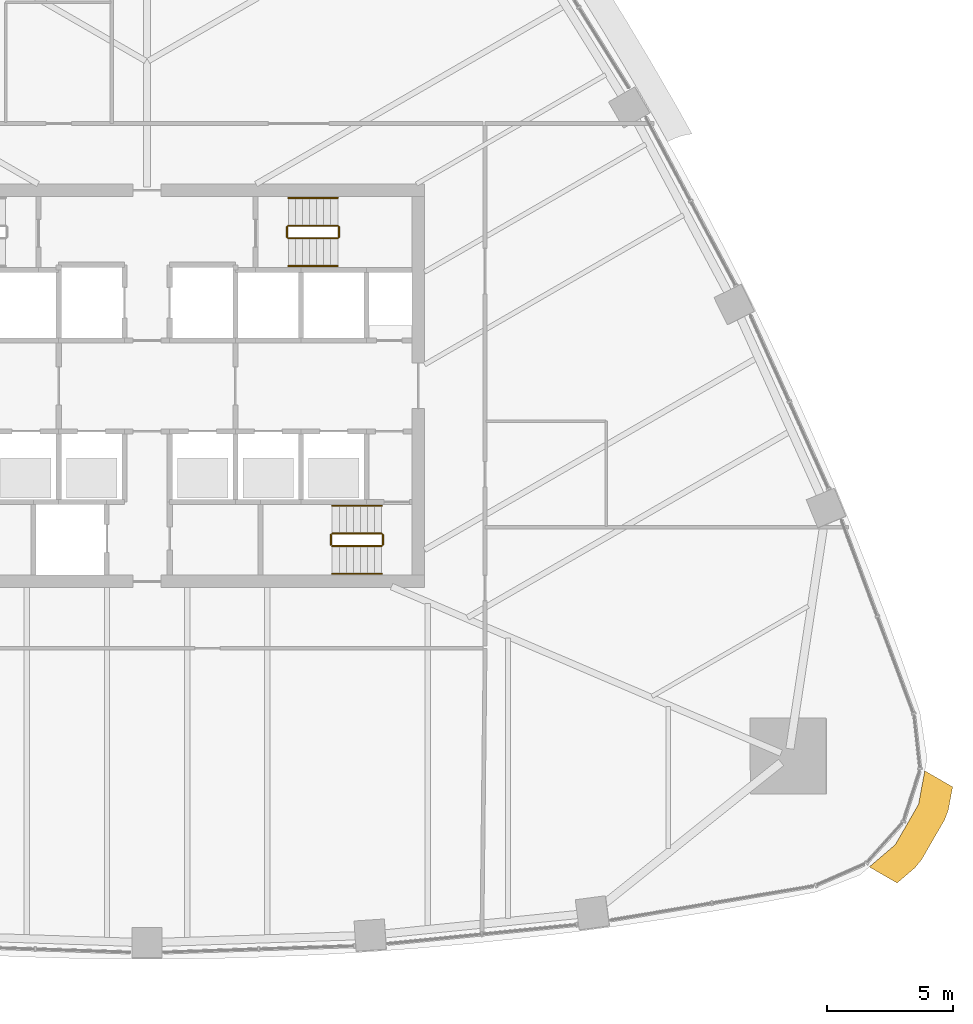
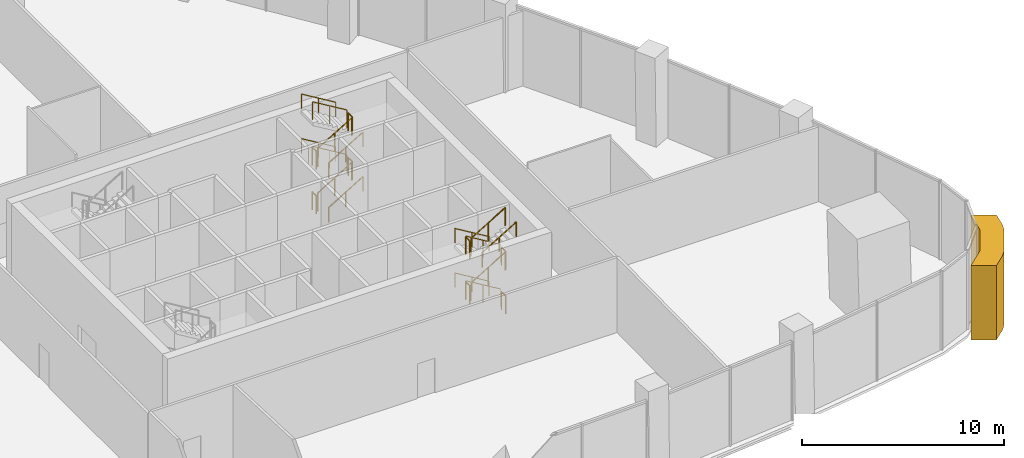
# One storey, part 14 of 16: 23 railings, 1 covering.
"""IFC4 building model written with IfcOpenShell, lengths in metres."""

from ifc_helpers import new_model, si_unit, direction, frame, origin, origin_2d, place, context, subcontext, project, spatial, polyline, circle, outline, extrude, material, layer, layer_set, type_object, element, save


model = new_model("IFC4")

# Units and contexts
model_context = context("Model", 3, precision=1e-05, world=origin(), true_north=direction((0.0, 1.0)))
body_context = subcontext(model_context, "Body", "Model", "MODEL_VIEW")
ifc_project = project(units=[si_unit("LENGTHUNIT", "METRE"), si_unit("AREAUNIT", "SQUARE_METRE"), si_unit("VOLUMEUNIT", "CUBIC_METRE"), si_unit("PLANEANGLEUNIT", "RADIAN"), si_unit("MASSUNIT", "GRAM", prefix="KILO")], contexts=[model_context])

# Site, building, storey
site_placement = place(None, origin())
site = spatial("IfcSite", under=ifc_project, at=site_placement, CompositionType="ELEMENT")
building_placement = place(site_placement, origin())
building = spatial("IfcBuilding", under=site, at=building_placement, Name="Sierra Prisma Convention Tower", CompositionType="ELEMENT")
storey_placement = place(building_placement, frame((0.0, 0.0, 107.199951171875)))
storey = spatial("IfcBuildingStorey", under=building, at=storey_placement, Name="L23", CompositionType="ELEMENT", Elevation=107.199951171875)

# Covering
ifc_material_1 = material(Name="Aluminium composite bronze anodised", Category="aluminium")
ifc_layer = layer(ifc_material_1, 1.199951171875)
ifc_layer_set = layer_set([ifc_layer], Name="Bronze corner pier")
covering_type = type_object("IfcCoveringType", Name="Bronze corner pier", PredefinedType="CLADDING", material=ifc_layer_set)
covering_placement = place(storey_placement, frame((0.0, 0.0, -0.599853515625)))
element("IfcCovering", 1, at=covering_placement, inside=storey, type_object=covering_type, Name="Corner pier SE L23.1", PredefinedType="CLADDING", context=body_context, shape_type="SweptSolid", body=[
    extrude(outline(polyline([(30.827392578125, -15.2578125), (31.92919921875, -15.89404296875), (31.758544921875, -16.80712890625), (31.6181640625, -17.186767578125), (30.693359375, -18.788818359375), (30.434814453125, -19.10009765625), (29.729248046875, -19.70458984375), (28.62744140625, -19.068359375), (29.654052734375, -18.188720703125), (30.5791015625, -16.586669921875), (30.827392578125, -15.2578125)])), origin(), (0.0, 0.0, 1.0), 4.5),
])

# Railings
ifc_material_2 = material(Name="Stainless steel", Category="steel")
railing_type_1 = type_object("IfcRailingType", Name="Exit stair handrail", PredefinedType="HANDRAIL", material=ifc_material_2)
railing_1_placement = place(storey_placement, frame((9.300048828125, -4.75, 0.168701171875)))
element("IfcRailing", 2, at=railing_1_placement, inside=storey, type_object=railing_type_1, Name="L23 S2 stair handrail 1", PredefinedType="HANDRAIL", context=body_context, shape_type="SweptSolid", body=[
    extrude(circle(Radius=0.02392578125, at=origin_2d()), frame((0.0, 0.0, 0.8759765625), z_axis=(-0.856446297458, 0.0, 0.516236127728), x_axis=(0.0, -1.0, 0.0)), (0.0, 0.0, 1.0), 2.28857421875),
    extrude(circle(Radius=0.02099609375, at=origin_2d()), origin(), (0.0, 0.0, 1.0), 0.851806640625),
    extrude(circle(Radius=0.02099609375, at=origin_2d()), frame((-0.97998046875, 0.0, 0.5908203125)), (0.0, 0.0, 1.0), 0.851806640625),
    extrude(circle(Radius=0.02099609375, at=origin_2d()), frame((-1.9599609375, 0.0, 1.181396484375)), (0.0, 0.0, 1.0), 0.851806640625),
])
railing_2_placement = place(storey_placement, frame((9.300048828125, -4.75, 2.868896484375)))
element("IfcRailing", 3, at=railing_2_placement, inside=storey, type_object=railing_type_1, Name="L23 S2 stair handrail 3", PredefinedType="HANDRAIL", context=body_context, shape_type="SweptSolid", body=[
    extrude(circle(Radius=0.02392578125, at=origin_2d()), frame((0.0, 0.0, 0.8759765625), z_axis=(-0.856493463811, 0.0, 0.516157869696), x_axis=(0.0, -1.0, 0.0)), (0.0, 0.0, 1.0), 2.288330078125),
    extrude(circle(Radius=0.02099609375, at=origin_2d()), origin(), (0.0, 0.0, 1.0), 0.851806640625),
    extrude(circle(Radius=0.02099609375, at=origin_2d()), frame((-0.97998046875, 0.0, 0.590576171875)), (0.0, 0.0, 1.0), 0.851806640625),
    extrude(circle(Radius=0.02099609375, at=origin_2d()), frame((-1.9599609375, 0.0, 1.18115234375)), (0.0, 0.0, 1.0), 0.851806640625),
])
for number, where, name in (
    (4, (7.340087890625, -7.449951171875, 4.21875), "L23 S2 stair handrail 4"),
    (5, (5.60009765625, 4.75, 0.168701171875), "L23 S4 stair handrail 1"),
):
    element("IfcRailing", number, at=place(storey_placement, frame(where)), inside=storey, type_object=railing_type_1, Name=name, PredefinedType="HANDRAIL", context=body_context, shape_type="SweptSolid", body=[
        extrude(circle(Radius=0.02392578125, at=origin_2d()), frame((0.0, 0.0, 0.8759765625), z_axis=(0.856446297458, 0.0, 0.516236127728), x_axis=(0.0, 1.0, 0.0)), (0.0, 0.0, 1.0), 2.28857421875),
        extrude(circle(Radius=0.02099609375, at=origin_2d()), origin(), (0.0, 0.0, 1.0), 0.851806640625),
        extrude(circle(Radius=0.02099609375, at=origin_2d()), frame((0.97998046875, 0.0, 0.5908203125)), (0.0, 0.0, 1.0), 0.851806640625),
        extrude(circle(Radius=0.02099609375, at=origin_2d()), frame((1.9599609375, 0.0, 1.181396484375)), (0.0, 0.0, 1.0), 0.851806640625),
    ])
railing_3_placement = place(storey_placement, frame((7.56005859375, 7.449951171875, 1.518798828125)))
element("IfcRailing", 6, at=railing_3_placement, inside=storey, type_object=railing_type_1, Name="L23 S4 stair handrail 2", PredefinedType="HANDRAIL", context=body_context, shape_type="SweptSolid", body=[
    extrude(circle(Radius=0.02392578125, at=origin_2d()), frame((0.0, 0.0, 0.8759765625), z_axis=(-0.856493463811, 0.0, 0.516157869696), x_axis=(0.0, -1.0, 0.0)), (0.0, 0.0, 1.0), 2.288330078125),
    extrude(circle(Radius=0.02099609375, at=origin_2d()), origin(), (0.0, 0.0, 1.0), 0.851806640625),
    extrude(circle(Radius=0.02099609375, at=origin_2d()), frame((-0.97998046875, 0.0, 0.590576171875)), (0.0, 0.0, 1.0), 0.851806640625),
    extrude(circle(Radius=0.02099609375, at=origin_2d()), frame((-1.9599609375, 0.0, 1.18115234375)), (0.0, 0.0, 1.0), 0.851806640625),
])
railing_4_placement = place(storey_placement, frame((5.60009765625, 4.75, 2.868896484375)))
element("IfcRailing", 7, at=railing_4_placement, inside=storey, type_object=railing_type_1, Name="L23 S4 stair handrail 3", PredefinedType="HANDRAIL", context=body_context, shape_type="SweptSolid", body=[
    extrude(circle(Radius=0.02392578125, at=origin_2d()), frame((0.0, 0.0, 0.8759765625), z_axis=(0.856493463811, 0.0, 0.516157869696), x_axis=(0.0, 1.0, 0.0)), (0.0, 0.0, 1.0), 2.288330078125),
    extrude(circle(Radius=0.02099609375, at=origin_2d()), origin(), (0.0, 0.0, 1.0), 0.851806640625),
    extrude(circle(Radius=0.02099609375, at=origin_2d()), frame((0.97998046875, 0.0, 0.590576171875)), (0.0, 0.0, 1.0), 0.851806640625),
    extrude(circle(Radius=0.02099609375, at=origin_2d()), frame((1.9599609375, 0.0, 1.18115234375)), (0.0, 0.0, 1.0), 0.851806640625),
])
railing_5_placement = place(storey_placement, frame((7.56005859375, 7.449951171875, 4.21875)))
element("IfcRailing", 8, at=railing_5_placement, inside=storey, type_object=railing_type_1, Name="L23 S4 stair handrail 4", PredefinedType="HANDRAIL", context=body_context, shape_type="SweptSolid", body=[
    extrude(circle(Radius=0.02392578125, at=origin_2d()), frame((0.0, 0.0, 0.8759765625), z_axis=(-0.856446297458, 0.0, 0.516236127728), x_axis=(0.0, -1.0, 0.0)), (0.0, 0.0, 1.0), 2.28857421875),
    extrude(circle(Radius=0.02099609375, at=origin_2d()), origin(), (0.0, 0.0, 1.0), 0.851806640625),
    extrude(circle(Radius=0.02099609375, at=origin_2d()), frame((-0.97998046875, 0.0, 0.5908203125)), (0.0, 0.0, 1.0), 0.851806640625),
    extrude(circle(Radius=0.02099609375, at=origin_2d()), frame((-1.9599609375, 0.0, 1.181396484375)), (0.0, 0.0, 1.0), 0.851806640625),
])
ifc_material_3 = material(Name="Stainless steel", Category="steel")
railing_type_2 = type_object("IfcRailingType", Name="Stair guard 1100", PredefinedType="GUARDRAIL", material=ifc_material_3)
railing_6_placement = place(storey_placement, frame((9.300048828125, -5.85009765625, 0.168701171875)))
element("IfcRailing", 9, at=railing_6_placement, inside=storey, type_object=railing_type_2, Name="L23 S2 stair guard 1", PredefinedType="GUARDRAIL", context=body_context, shape_type="SweptSolid", body=[
    extrude(circle(Radius=0.02392578125, at=origin_2d()), frame((0.0, 0.0, 1.076171875), z_axis=(-0.856446297458, 0.0, 0.516236127728), x_axis=(0.0, -1.0, 0.0)), (0.0, 0.0, 1.0), 2.28857421875),
    extrude(circle(Radius=0.02099609375, at=origin_2d()), origin(), (0.0, 0.0, 1.0), 1.052001953125),
    extrude(circle(Radius=0.02099609375, at=origin_2d()), frame((-0.97998046875, 0.0, 0.5908203125)), (0.0, 0.0, 1.0), 1.052001953125),
    extrude(circle(Radius=0.02099609375, at=origin_2d()), frame((-1.9599609375, 0.0, 1.181396484375)), (0.0, 0.0, 1.0), 1.052001953125),
])
railing_7_placement = place(storey_placement, frame((7.2900390625, -5.89990234375, 1.35009765625)))
element("IfcRailing", 10, at=railing_7_placement, inside=storey, type_object=railing_type_2, Name="L23 S2 stair guard 2", PredefinedType="GUARDRAIL", context=body_context, shape_type="SweptSolid", body=[
    extrude(circle(Radius=0.02392578125, at=origin_2d()), frame((0.0, 0.0, 1.076171875), z_axis=(0.0, -1.0, 0.0), x_axis=(1.0, 0.0, 0.0)), (0.0, 0.0, 1.0), 0.400146484375),
    extrude(circle(Radius=0.02099609375, at=origin_2d()), origin(), (0.0, 0.0, 1.0), 1.052001953125),
    extrude(circle(Radius=0.02099609375, at=origin_2d()), frame((0.0, -0.400146484375, 0.0)), (0.0, 0.0, 1.0), 1.052001953125),
])
railing_8_placement = place(storey_placement, frame((7.340087890625, -6.35009765625, 1.518798828125)))
element("IfcRailing", 11, at=railing_8_placement, inside=storey, type_object=railing_type_2, Name="L23 S2 stair guard 3", PredefinedType="GUARDRAIL", context=body_context, shape_type="SweptSolid", body=[
    extrude(circle(Radius=0.02392578125, at=origin_2d()), frame((0.0, 0.0, 1.076171875), z_axis=(0.856493463811, 0.0, 0.516157869696), x_axis=(0.0, 1.0, 0.0)), (0.0, 0.0, 1.0), 2.288330078125),
    extrude(circle(Radius=0.02099609375, at=origin_2d()), origin(), (0.0, 0.0, 1.0), 1.052001953125),
    extrude(circle(Radius=0.02099609375, at=origin_2d()), frame((0.97998046875, 0.0, 0.590576171875)), (0.0, 0.0, 1.0), 1.052001953125),
    extrude(circle(Radius=0.02099609375, at=origin_2d()), frame((1.9599609375, 0.0, 1.18115234375)), (0.0, 0.0, 1.0), 1.052001953125),
])
railing_9_placement = place(storey_placement, frame((9.35009765625, -5.89990234375, 2.699951171875)))
element("IfcRailing", 12, at=railing_9_placement, inside=storey, type_object=railing_type_2, Name="L23 S2 stair guard 4", PredefinedType="GUARDRAIL", context=body_context, shape_type="SweptSolid", body=[
    extrude(circle(Radius=0.02392578125, at=origin_2d()), frame((0.0, 0.0, 1.076171875), z_axis=(0.0, -1.0, 0.0), x_axis=(1.0, 0.0, 0.0)), (0.0, 0.0, 1.0), 0.400146484375),
    extrude(circle(Radius=0.02099609375, at=origin_2d()), origin(), (0.0, 0.0, 1.0), 1.052001953125),
    extrude(circle(Radius=0.02099609375, at=origin_2d()), frame((0.0, -0.400146484375, 0.0)), (0.0, 0.0, 1.0), 1.052001953125),
])
railing_10_placement = place(storey_placement, frame((9.300048828125, -5.85009765625, 2.868896484375)))
element("IfcRailing", 13, at=railing_10_placement, inside=storey, type_object=railing_type_2, Name="L23 S2 stair guard 5", PredefinedType="GUARDRAIL", context=body_context, shape_type="SweptSolid", body=[
    extrude(circle(Radius=0.02392578125, at=origin_2d()), frame((0.0, 0.0, 1.076171875), z_axis=(-0.856493463811, 0.0, 0.516157869696), x_axis=(0.0, -1.0, 0.0)), (0.0, 0.0, 1.0), 2.288330078125),
    extrude(circle(Radius=0.02099609375, at=origin_2d()), origin(), (0.0, 0.0, 1.0), 1.052001953125),
    extrude(circle(Radius=0.02099609375, at=origin_2d()), frame((-0.97998046875, 0.0, 0.590576171875)), (0.0, 0.0, 1.0), 1.052001953125),
    extrude(circle(Radius=0.02099609375, at=origin_2d()), frame((-1.9599609375, 0.0, 1.18115234375)), (0.0, 0.0, 1.0), 1.052001953125),
])
railing_11_placement = place(storey_placement, frame((7.2900390625, -5.89990234375, 4.050048828125)))
element("IfcRailing", 14, at=railing_11_placement, inside=storey, type_object=railing_type_2, Name="L23 S2 stair guard 6", PredefinedType="GUARDRAIL", context=body_context, shape_type="SweptSolid", body=[
    extrude(circle(Radius=0.02392578125, at=origin_2d()), frame((0.0, 0.0, 1.076171875), z_axis=(0.0, -1.0, 0.0), x_axis=(1.0, 0.0, 0.0)), (0.0, 0.0, 1.0), 0.400146484375),
    extrude(circle(Radius=0.02099609375, at=origin_2d()), origin(), (0.0, 0.0, 1.0), 1.052001953125),
    extrude(circle(Radius=0.02099609375, at=origin_2d()), frame((0.0, -0.400146484375, 0.0)), (0.0, 0.0, 1.0), 1.052001953125),
])
railing_12_placement = place(storey_placement, frame((7.340087890625, -6.35009765625, 4.21875)))
element("IfcRailing", 15, at=railing_12_placement, inside=storey, type_object=railing_type_2, Name="L23 S2 stair guard 7", PredefinedType="GUARDRAIL", context=body_context, shape_type="SweptSolid", body=[
    extrude(circle(Radius=0.02392578125, at=origin_2d()), frame((0.0, 0.0, 1.076171875), z_axis=(0.856446297458, 0.0, 0.516236127728), x_axis=(0.0, 1.0, 0.0)), (0.0, 0.0, 1.0), 2.28857421875),
    extrude(circle(Radius=0.02099609375, at=origin_2d()), origin(), (0.0, 0.0, 1.0), 1.052001953125),
    extrude(circle(Radius=0.02099609375, at=origin_2d()), frame((0.97998046875, 0.0, 0.5908203125)), (0.0, 0.0, 1.0), 1.052001953125),
    extrude(circle(Radius=0.02099609375, at=origin_2d()), frame((1.9599609375, 0.0, 1.181396484375)), (0.0, 0.0, 1.0), 1.052001953125),
])
railing_13_placement = place(storey_placement, frame((9.35009765625, -5.89990234375, 0.0)))
element("IfcRailing", 16, at=railing_13_placement, inside=storey, type_object=railing_type_2, Name="L23 S2 stair guard 8", PredefinedType="GUARDRAIL", context=body_context, shape_type="SweptSolid", body=[
    extrude(circle(Radius=0.02392578125, at=origin_2d()), frame((0.0, 0.0, 1.076171875), z_axis=(0.0, -1.0, 0.0), x_axis=(1.0, 0.0, 0.0)), (0.0, 0.0, 1.0), 0.400146484375),
    extrude(circle(Radius=0.02099609375, at=origin_2d()), origin(), (0.0, 0.0, 1.0), 1.052001953125),
    extrude(circle(Radius=0.02099609375, at=origin_2d()), frame((0.0, -0.400146484375, 0.0)), (0.0, 0.0, 1.0), 1.052001953125),
])
railing_14_placement = place(storey_placement, frame((5.60009765625, 5.85009765625, 0.168701171875)))
element("IfcRailing", 17, at=railing_14_placement, inside=storey, type_object=railing_type_2, Name="L23 S4 stair guard 1", PredefinedType="GUARDRAIL", context=body_context, shape_type="SweptSolid", body=[
    extrude(circle(Radius=0.02392578125, at=origin_2d()), frame((0.0, 0.0, 1.076171875), z_axis=(0.856446297458, 0.0, 0.516236127728), x_axis=(0.0, 1.0, 0.0)), (0.0, 0.0, 1.0), 2.28857421875),
    extrude(circle(Radius=0.02099609375, at=origin_2d()), origin(), (0.0, 0.0, 1.0), 1.052001953125),
    extrude(circle(Radius=0.02099609375, at=origin_2d()), frame((0.97998046875, 0.0, 0.5908203125)), (0.0, 0.0, 1.0), 1.052001953125),
    extrude(circle(Radius=0.02099609375, at=origin_2d()), frame((1.9599609375, 0.0, 1.181396484375)), (0.0, 0.0, 1.0), 1.052001953125),
])
railing_15_placement = place(storey_placement, frame((7.610107421875, 5.89990234375, 1.35009765625)))
element("IfcRailing", 18, at=railing_15_placement, inside=storey, type_object=railing_type_2, Name="L23 S4 stair guard 2", PredefinedType="GUARDRAIL", context=body_context, shape_type="SweptSolid", body=[
    extrude(circle(Radius=0.02392578125, at=origin_2d()), frame((0.0, 0.0, 1.076171875), z_axis=(0.0, 1.0, 0.0), x_axis=(-1.0, 0.0, 0.0)), (0.0, 0.0, 1.0), 0.400146484375),
    extrude(circle(Radius=0.02099609375, at=origin_2d()), origin(), (0.0, 0.0, 1.0), 1.052001953125),
    extrude(circle(Radius=0.02099609375, at=origin_2d()), frame((0.0, 0.400146484375, 0.0)), (0.0, 0.0, 1.0), 1.052001953125),
])
railing_16_placement = place(storey_placement, frame((7.56005859375, 6.35009765625, 1.518798828125)))
element("IfcRailing", 19, at=railing_16_placement, inside=storey, type_object=railing_type_2, Name="L23 S4 stair guard 3", PredefinedType="GUARDRAIL", context=body_context, shape_type="SweptSolid", body=[
    extrude(circle(Radius=0.02392578125, at=origin_2d()), frame((0.0, 0.0, 1.076171875), z_axis=(-0.856493463811, 0.0, 0.516157869696), x_axis=(0.0, -1.0, 0.0)), (0.0, 0.0, 1.0), 2.288330078125),
    extrude(circle(Radius=0.02099609375, at=origin_2d()), origin(), (0.0, 0.0, 1.0), 1.052001953125),
    extrude(circle(Radius=0.02099609375, at=origin_2d()), frame((-0.97998046875, 0.0, 0.590576171875)), (0.0, 0.0, 1.0), 1.052001953125),
    extrude(circle(Radius=0.02099609375, at=origin_2d()), frame((-1.9599609375, 0.0, 1.18115234375)), (0.0, 0.0, 1.0), 1.052001953125),
])
railing_17_placement = place(storey_placement, frame((5.550048828125, 5.89990234375, 2.699951171875)))
element("IfcRailing", 20, at=railing_17_placement, inside=storey, type_object=railing_type_2, Name="L23 S4 stair guard 4", PredefinedType="GUARDRAIL", context=body_context, shape_type="SweptSolid", body=[
    extrude(circle(Radius=0.02392578125, at=origin_2d()), frame((0.0, 0.0, 1.076171875), z_axis=(0.0, 1.0, 0.0), x_axis=(-1.0, 0.0, 0.0)), (0.0, 0.0, 1.0), 0.400146484375),
    extrude(circle(Radius=0.02099609375, at=origin_2d()), origin(), (0.0, 0.0, 1.0), 1.052001953125),
    extrude(circle(Radius=0.02099609375, at=origin_2d()), frame((0.0, 0.400146484375, 0.0)), (0.0, 0.0, 1.0), 1.052001953125),
])
railing_18_placement = place(storey_placement, frame((5.60009765625, 5.85009765625, 2.868896484375)))
element("IfcRailing", 21, at=railing_18_placement, inside=storey, type_object=railing_type_2, Name="L23 S4 stair guard 5", PredefinedType="GUARDRAIL", context=body_context, shape_type="SweptSolid", body=[
    extrude(circle(Radius=0.02392578125, at=origin_2d()), frame((0.0, 0.0, 1.076171875), z_axis=(0.856493463811, 0.0, 0.516157869696), x_axis=(0.0, 1.0, 0.0)), (0.0, 0.0, 1.0), 2.288330078125),
    extrude(circle(Radius=0.02099609375, at=origin_2d()), origin(), (0.0, 0.0, 1.0), 1.052001953125),
    extrude(circle(Radius=0.02099609375, at=origin_2d()), frame((0.97998046875, 0.0, 0.590576171875)), (0.0, 0.0, 1.0), 1.052001953125),
    extrude(circle(Radius=0.02099609375, at=origin_2d()), frame((1.9599609375, 0.0, 1.18115234375)), (0.0, 0.0, 1.0), 1.052001953125),
])
railing_19_placement = place(storey_placement, frame((7.610107421875, 5.89990234375, 4.050048828125)))
element("IfcRailing", 22, at=railing_19_placement, inside=storey, type_object=railing_type_2, Name="L23 S4 stair guard 6", PredefinedType="GUARDRAIL", context=body_context, shape_type="SweptSolid", body=[
    extrude(circle(Radius=0.02392578125, at=origin_2d()), frame((0.0, 0.0, 1.076171875), z_axis=(0.0, 1.0, 0.0), x_axis=(-1.0, 0.0, 0.0)), (0.0, 0.0, 1.0), 0.400146484375),
    extrude(circle(Radius=0.02099609375, at=origin_2d()), origin(), (0.0, 0.0, 1.0), 1.052001953125),
    extrude(circle(Radius=0.02099609375, at=origin_2d()), frame((0.0, 0.400146484375, 0.0)), (0.0, 0.0, 1.0), 1.052001953125),
])
railing_20_placement = place(storey_placement, frame((7.56005859375, 6.35009765625, 4.21875)))
element("IfcRailing", 23, at=railing_20_placement, inside=storey, type_object=railing_type_2, Name="L23 S4 stair guard 7", PredefinedType="GUARDRAIL", context=body_context, shape_type="SweptSolid", body=[
    extrude(circle(Radius=0.02392578125, at=origin_2d()), frame((0.0, 0.0, 1.076171875), z_axis=(-0.856446297458, 0.0, 0.516236127728), x_axis=(0.0, -1.0, 0.0)), (0.0, 0.0, 1.0), 2.28857421875),
    extrude(circle(Radius=0.02099609375, at=origin_2d()), origin(), (0.0, 0.0, 1.0), 1.052001953125),
    extrude(circle(Radius=0.02099609375, at=origin_2d()), frame((-0.97998046875, 0.0, 0.5908203125)), (0.0, 0.0, 1.0), 1.052001953125),
    extrude(circle(Radius=0.02099609375, at=origin_2d()), frame((-1.9599609375, 0.0, 1.181396484375)), (0.0, 0.0, 1.0), 1.052001953125),
])
railing_21_placement = place(storey_placement, frame((5.550048828125, 5.89990234375, 0.0)))
element("IfcRailing", 24, at=railing_21_placement, inside=storey, type_object=railing_type_2, Name="L23 S4 stair guard 8", PredefinedType="GUARDRAIL", context=body_context, shape_type="SweptSolid", body=[
    extrude(circle(Radius=0.02392578125, at=origin_2d()), frame((0.0, 0.0, 1.076171875), z_axis=(0.0, 1.0, 0.0), x_axis=(-1.0, 0.0, 0.0)), (0.0, 0.0, 1.0), 0.400146484375),
    extrude(circle(Radius=0.02099609375, at=origin_2d()), origin(), (0.0, 0.0, 1.0), 1.052001953125),
    extrude(circle(Radius=0.02099609375, at=origin_2d()), frame((0.0, 0.400146484375, 0.0)), (0.0, 0.0, 1.0), 1.052001953125),
])

save(model, "model.ifc")
